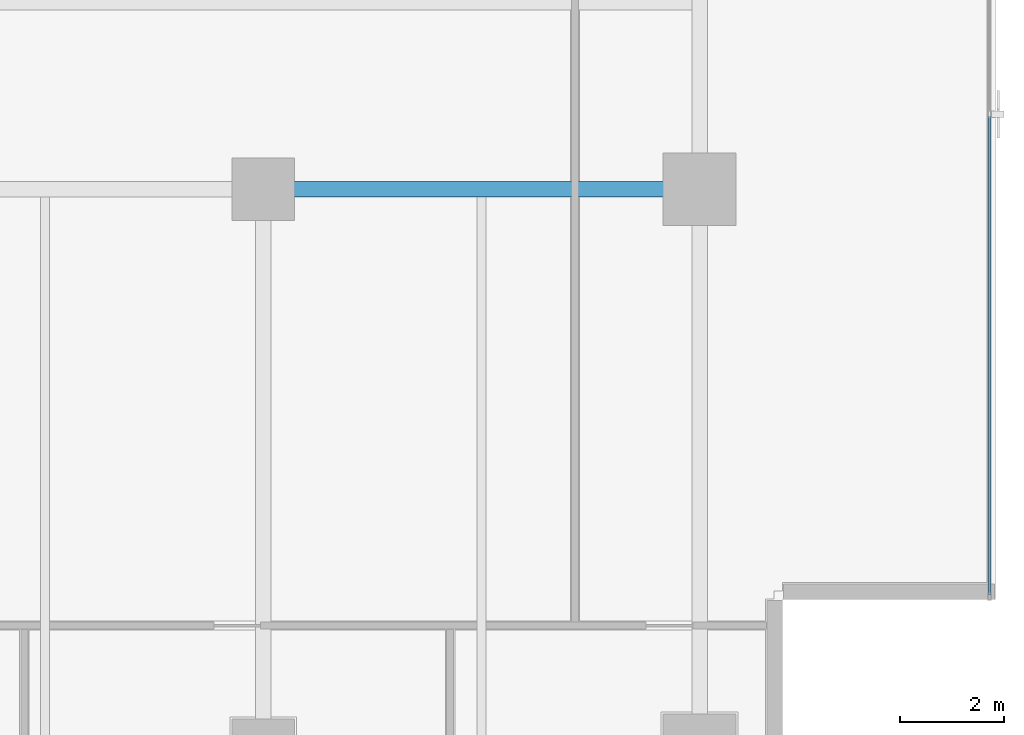
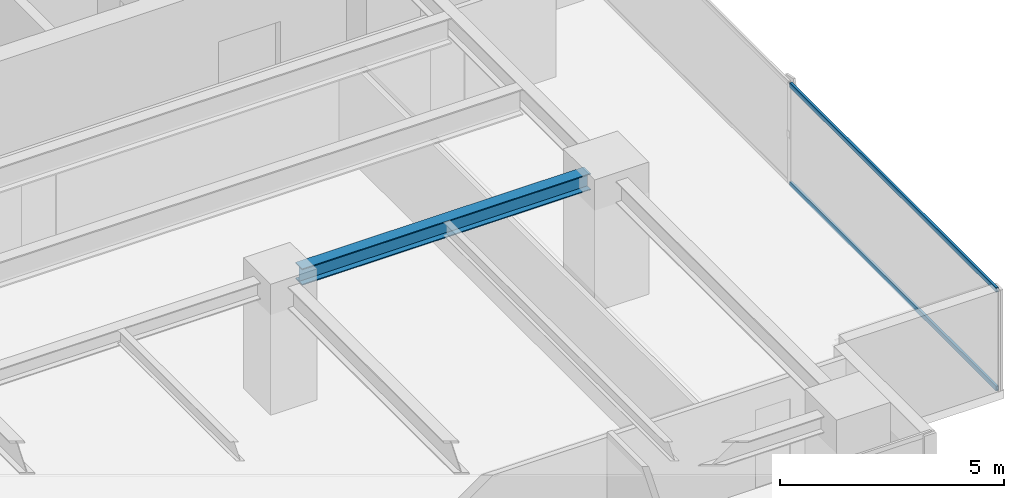
# One storey, part 12 of 26: 2 members, 1 beam, 1 element without a shape of its own.
"""IFC4 building model written with IfcOpenShell, lengths in metres."""

from ifc_helpers import new_model, si_unit, direction, frame, origin, origin_2d, place, context, subcontext, project, spatial, hollow_rectangle, i_section, extrude, source, transform, mapped, material, layer, layer_set, material_profile, profile_set, type_object, element, aggregate, save


model = new_model("IFC4")

# Units and contexts
model_context = context("Model", 3, precision=1e-05, world=origin(), true_north=direction((0.0, 1.0)))
body_context = subcontext(model_context, "Body", "Model", "MODEL_VIEW")
ifc_project = project(units=[si_unit("LENGTHUNIT", "METRE"), si_unit("AREAUNIT", "SQUARE_METRE"), si_unit("VOLUMEUNIT", "CUBIC_METRE"), si_unit("PLANEANGLEUNIT", "RADIAN"), si_unit("MASSUNIT", "GRAM", prefix="KILO")], contexts=[model_context])

# Site, building, storey
site_placement = place(None, origin())
site = spatial("IfcSite", under=ifc_project, at=site_placement, CompositionType="ELEMENT")
building_placement = place(site_placement, origin())
building = spatial("IfcBuilding", under=site, at=building_placement, Name="Sumidabori Civic Tower", CompositionType="ELEMENT")
storey_placement = place(building_placement, frame((0.0, 0.0, 236.0)))
storey = spatial("IfcBuildingStorey", under=building, at=storey_placement, Name="L61", CompositionType="ELEMENT", Elevation=236.0)

# Beam
ifc_material_1 = material(Name="Steel SN490", Category="steel")
ifc_material_profile_1 = material_profile(ifc_material_1, i_section(OverallWidth=0.300048828125, OverallDepth=0.449951171875, WebThickness=0.013916015625, FlangeThickness=0.02587890625, at=origin_2d()), Name="HE 450 B")
ifc_profile_set_1 = profile_set([ifc_material_profile_1], Name="Steel SN490")
beam_type = type_object("IfcBeamType", Name="BM-GIRD-450", PredefinedType="BEAM", material=ifc_profile_set_1)
shared_shape_1 = source(origin(), body_context, "Body", "SweptSolid", [
    extrude(i_section(OverallWidth=0.300048828125, OverallDepth=0.449951171875, WebThickness=0.013916015625, FlangeThickness=0.02587890625, at=origin_2d()), origin(), (0.0, 0.0, 1.0), 7.440185546875),
])
beam_placement = place(storey_placement, frame((8.8798828125, 0.0, 3.14501953125), z_axis=(1.0, 0.0, 0.0), x_axis=(0.0, 1.0, 0.0)))
element("IfcBeam", 1, at=beam_placement, inside=storey, type_object=beam_type, Name="Primary Girder L61 GX-08", PredefinedType="BEAM", context=body_context, shape_type="MappedRepresentation", body=[
    mapped(shared_shape_1, transform((0.0, 0.0, 0.0), x_axis=(1.0, 0.0, 0.0), y_axis=(0.0, 1.0, 0.0), z_axis=(0.0, 0.0, 1.0), scale=1.0)),
])

# Curtain wall, members
ifc_material_2 = material(Name="Anodised Bronze Aluminium AW-6063-T6", Category="aluminium")
ifc_layer = layer(ifc_material_2, 0.179931640625, Name="Anodised Bronze Aluminium AW-6063-T6")
ifc_layer_set = layer_set([ifc_layer], Name="Anodised Bronze Aluminium AW-6063-T6")
curtain_wall_type = type_object("IfcCurtainWallType", Name="CW-SYS-5", PredefinedType="NOTDEFINED", material=ifc_layer_set)
curtain_wall_placement = place(storey_placement, origin())
curtain_wall = element("IfcCurtainWall", 2, at=curtain_wall_placement, inside=storey, type_object=curtain_wall_type, Name="Curtain Wall CW:L61:R04", PredefinedType="NOTDEFINED")
ifc_material_profile_2 = material_profile(ifc_material_2, hollow_rectangle(XDim=0.06005859375, YDim=0.1298828125, WallThickness=0.0048828125, at=origin_2d()), Name="ALU TRANSOM 130x60")
ifc_profile_set_2 = profile_set([ifc_material_profile_2], Name="Anodised Bronze Aluminium AW-6063-T6")
member_type = type_object("IfcMemberType", Name="CW-TRN-130", PredefinedType="USERDEFINED", material=ifc_profile_set_2)
shared_shape_2 = source(origin(), body_context, "Body", "SweptSolid", [
    extrude(hollow_rectangle(XDim=0.06005859375, YDim=0.1298828125, WallThickness=0.0048828125, at=origin_2d()), origin(), (0.0, 0.0, 1.0), 9.223388671875),
])
member_1_placement = place(storey_placement, frame((22.3798828125, -7.81005859375, 0.030029296875), z_axis=(0.0, 1.0, 0.0), x_axis=(-1.0, 0.0, 0.0)))
member_1 = element("IfcMember", 3, at=member_1_placement, type_object=member_type, Name="CW-5 transom 1.1", ObjectType="TRANSOM", PredefinedType="USERDEFINED", context=body_context, shape_type="MappedRepresentation", body=[
    mapped(shared_shape_2, transform((0.0, 0.0, 0.0), x_axis=(1.0, 0.0, 0.0), y_axis=(0.0, 1.0, 0.0), z_axis=(0.0, 0.0, 1.0), scale=1.0)),
])
member_2_placement = place(storey_placement, frame((22.3798828125, -7.81005859375, 2.719970703125), z_axis=(0.0, 1.0, 0.0), x_axis=(-1.0, 0.0, 0.0)))
member_2 = element("IfcMember", 4, at=member_2_placement, type_object=member_type, Name="CW-5 transom 1.2", ObjectType="TRANSOM", PredefinedType="USERDEFINED", context=body_context, shape_type="MappedRepresentation", body=[
    mapped(shared_shape_2, transform((0.0, 0.0, 0.0), x_axis=(1.0, 0.0, 0.0), y_axis=(0.0, 1.0, 0.0), z_axis=(0.0, 0.0, 1.0), scale=1.0)),
])
aggregate(curtain_wall, [member_1, member_2])

save(model, "model.ifc")
